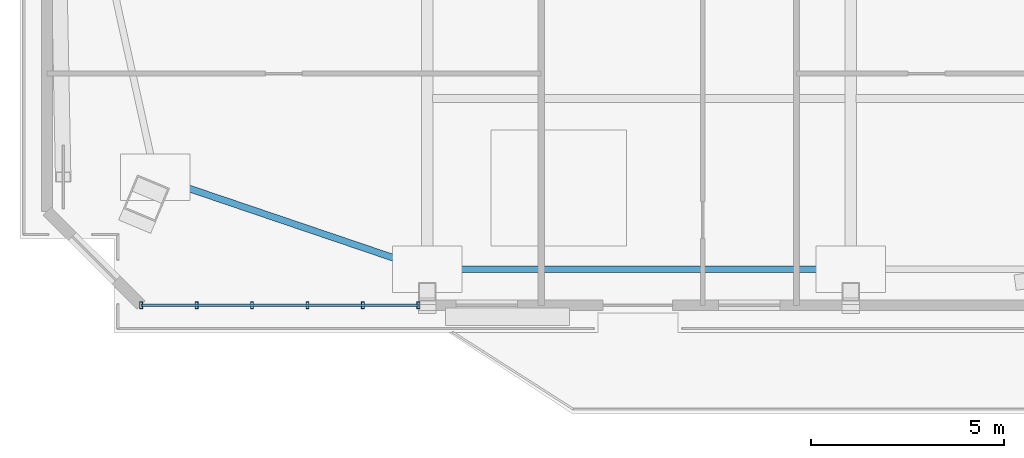
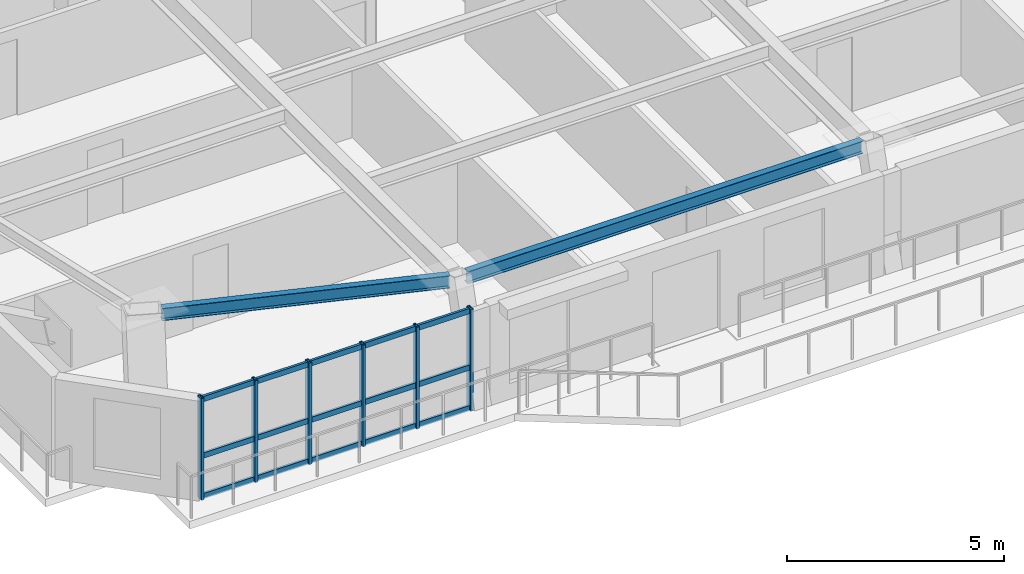
# One storey, part 2 of 15: 9 members, 2 beams, 1 element without a shape of its own.
"""IFC4 building model written with IfcOpenShell, lengths in metres."""

from ifc_helpers import new_model, si_unit, direction, frame, origin, origin_2d, place, context, subcontext, project, spatial, hollow_rectangle, i_section, extrude, source, transform, mapped, material, layer, layer_set, material_profile, profile_set, type_object, element, aggregate, save


model = new_model("IFC4")

# Units and contexts
model_context = context("Model", 3, precision=1e-05, world=origin(), true_north=direction((0.0, 1.0)))
body_context = subcontext(model_context, "Body", "Model", "MODEL_VIEW")
ifc_project = project(units=[si_unit("LENGTHUNIT", "METRE"), si_unit("AREAUNIT", "SQUARE_METRE"), si_unit("VOLUMEUNIT", "CUBIC_METRE"), si_unit("PLANEANGLEUNIT", "RADIAN"), si_unit("MASSUNIT", "GRAM", prefix="KILO")], contexts=[model_context])

# Site, building, storey
site_placement = place(None, origin())
site = spatial("IfcSite", under=ifc_project, at=site_placement, CompositionType="ELEMENT")
building_placement = place(site_placement, origin())
building = spatial("IfcBuilding", under=site, at=building_placement, Name="Giltprow Tower", CompositionType="ELEMENT")
storey_placement = place(building_placement, frame((0.0, 0.0, 300.60009765625)))
storey = spatial("IfcBuildingStorey", under=building, at=storey_placement, Name="L77", CompositionType="ELEMENT", Elevation=300.60009765625)

# Beams
ifc_material_1 = material(Name="Structural steel Q355B", Category="steel")
ifc_material_profile_1 = material_profile(ifc_material_1, i_section(OverallWidth=0.175048828125, OverallDepth=0.35009765625, WebThickness=0.007080078125, FlangeThickness=0.010986328125, at=origin_2d()), Name="HN 350x175x7x11")
ifc_profile_set_1 = profile_set([ifc_material_profile_1], Name="Structural steel Q355B")
beam_type = type_object("IfcBeamType", Name="BM-SPAN-HN350", PredefinedType="SPANDREL", material=ifc_profile_set_1)
shared_shape_1 = source(origin(), body_context, "Body", "SweptSolid", [
    extrude(i_section(OverallWidth=0.175048828125, OverallDepth=0.35009765625, WebThickness=0.007080078125, FlangeThickness=0.010986328125, at=origin_2d()), origin(), (0.0, 0.0, 1.0), 10.530029296875),
])
beam_1_placement = place(storey_placement, frame((20.06005859375, 19.77197265625, 3.010009765625), z_axis=(1.0, 0.0, 0.0), x_axis=(0.0, 1.0, 0.0)))
element("IfcBeam", 1, at=beam_1_placement, inside=storey, type_object=beam_type, Name="L77 Perimeter Spandrel Beam S1-S2", PredefinedType="SPANDREL", context=body_context, shape_type="MappedRepresentation", body=[
    mapped(shared_shape_1, transform((0.0, 0.0, 0.0), x_axis=(1.0, 0.0, 0.0), y_axis=(0.0, 1.0, 0.0), z_axis=(0.0, 0.0, 1.0), scale=1.0)),
])
shared_shape_2 = source(origin(), body_context, "Body", "SweptSolid", [
    extrude(i_section(OverallWidth=0.175048828125, OverallDepth=0.35009765625, WebThickness=0.007080078125, FlangeThickness=0.010986328125, at=origin_2d()), origin(), (0.0, 0.0, 1.0), 6.773193359375),
])
beam_2_placement = place(storey_placement, frame((13.237060546875, 22.01708984375, 3.010009765625), z_axis=(0.946938937368, -0.321413516977, 0.0), x_axis=(0.321413516977, 0.946938937368, 0.0)))
element("IfcBeam", 2, at=beam_2_placement, inside=storey, type_object=beam_type, Name="L77 Perimeter Spandrel Beam MC_SW-S1", PredefinedType="SPANDREL", context=body_context, shape_type="MappedRepresentation", body=[
    mapped(shared_shape_2, transform((0.0, 0.0, 0.0), x_axis=(1.0, 0.0, 0.0), y_axis=(0.0, 1.0, 0.0), z_axis=(0.0, 0.0, 1.0), scale=1.0)),
])

# Curtain wall, members
ifc_material_2 = material(Name="Anodized bronze", Category="metal")
ifc_layer = layer(ifc_material_2, 0.179931640625, Name="Anodized bronze")
ifc_layer_set = layer_set([ifc_layer], Name="Anodized bronze")
curtain_wall_type = type_object("IfcCurtainWallType", Name="CW-RES-SKY", PredefinedType="NOTDEFINED", material=ifc_layer_set)
curtain_wall_placement = place(storey_placement, origin())
curtain_wall = element("IfcCurtainWall", 3, at=curtain_wall_placement, inside=storey, type_object=curtain_wall_type, Name="L77 South Recessed Curtain Wall 1", PredefinedType="NOTDEFINED")
ifc_material_profile_2 = material_profile(ifc_material_2, hollow_rectangle(XDim=0.074951171875, YDim=0.179931640625, WallThickness=0.008056640625, at=origin_2d()), Name="RHS 180x75x8")
ifc_profile_set_2 = profile_set([ifc_material_profile_2], Name="Anodized bronze")
member_type_1 = type_object("IfcMemberType", Name="CW-MULLION-180x75", PredefinedType="MULLION", material=ifc_profile_set_2)
shared_shape_3 = source(origin(), body_context, "Body", "SweptSolid", [
    extrude(hollow_rectangle(XDim=0.074951171875, YDim=0.179931640625, WallThickness=0.008056640625, at=origin_2d()), origin(), (0.0, 0.0, 1.0), 2.869873046875),
])
member_1_placement = place(storey_placement, frame((12.455078125, 18.841064453125, -0.02001953125), z_axis=(0.0, 0.0, 1.0), x_axis=(1.0, 0.0, 0.0)))
member_1 = element("IfcMember", 4, at=member_1_placement, type_object=member_type_1, Name="L77 South Recessed Curtain Wall 1 Mullion 1", PredefinedType="MULLION", context=body_context, shape_type="MappedRepresentation", body=[
    mapped(shared_shape_3, transform((0.0, 0.0, 0.0), x_axis=(1.0, 0.0, 0.0), y_axis=(0.0, 1.0, 0.0), z_axis=(0.0, 0.0, 1.0), scale=1.0)),
])
member_2_placement = place(storey_placement, frame((13.888916015625, 18.841064453125, -0.02001953125), z_axis=(0.0, 0.0, 1.0), x_axis=(1.0, 0.0, 0.0)))
member_2 = element("IfcMember", 5, at=member_2_placement, type_object=member_type_1, Name="L77 South Recessed Curtain Wall 1 Mullion 2", PredefinedType="MULLION", context=body_context, shape_type="MappedRepresentation", body=[
    mapped(shared_shape_3, transform((0.0, 0.0, 0.0), x_axis=(1.0, 0.0, 0.0), y_axis=(0.0, 1.0, 0.0), z_axis=(0.0, 0.0, 1.0), scale=1.0)),
])
member_3_placement = place(storey_placement, frame((15.322998046875, 18.841064453125, -0.02001953125), z_axis=(0.0, 0.0, 1.0), x_axis=(1.0, 0.0, 0.0)))
member_3 = element("IfcMember", 6, at=member_3_placement, type_object=member_type_1, Name="L77 South Recessed Curtain Wall 1 Mullion 3", PredefinedType="MULLION", context=body_context, shape_type="MappedRepresentation", body=[
    mapped(shared_shape_3, transform((0.0, 0.0, 0.0), x_axis=(1.0, 0.0, 0.0), y_axis=(0.0, 1.0, 0.0), z_axis=(0.0, 0.0, 1.0), scale=1.0)),
])
member_4_placement = place(storey_placement, frame((16.757080078125, 18.841064453125, -0.02001953125), z_axis=(0.0, 0.0, 1.0), x_axis=(1.0, 0.0, 0.0)))
member_4 = element("IfcMember", 7, at=member_4_placement, type_object=member_type_1, Name="L77 South Recessed Curtain Wall 1 Mullion 4", PredefinedType="MULLION", context=body_context, shape_type="MappedRepresentation", body=[
    mapped(shared_shape_3, transform((0.0, 0.0, 0.0), x_axis=(1.0, 0.0, 0.0), y_axis=(0.0, 1.0, 0.0), z_axis=(0.0, 0.0, 1.0), scale=1.0)),
])
member_5_placement = place(storey_placement, frame((18.19091796875, 18.841064453125, -0.02001953125), z_axis=(0.0, 0.0, 1.0), x_axis=(1.0, 0.0, 0.0)))
member_5 = element("IfcMember", 8, at=member_5_placement, type_object=member_type_1, Name="L77 South Recessed Curtain Wall 1 Mullion 5", PredefinedType="MULLION", context=body_context, shape_type="MappedRepresentation", body=[
    mapped(shared_shape_3, transform((0.0, 0.0, 0.0), x_axis=(1.0, 0.0, 0.0), y_axis=(0.0, 1.0, 0.0), z_axis=(0.0, 0.0, 1.0), scale=1.0)),
])
member_6_placement = place(storey_placement, frame((19.625, 18.841064453125, -0.02001953125), z_axis=(0.0, 0.0, 1.0), x_axis=(1.0, 0.0, 0.0)))
member_6 = element("IfcMember", 9, at=member_6_placement, type_object=member_type_1, Name="L77 South Recessed Curtain Wall 1 Mullion 6", PredefinedType="MULLION", context=body_context, shape_type="MappedRepresentation", body=[
    mapped(shared_shape_3, transform((0.0, 0.0, 0.0), x_axis=(1.0, 0.0, 0.0), y_axis=(0.0, 1.0, 0.0), z_axis=(0.0, 0.0, 1.0), scale=1.0)),
])
ifc_material_profile_3 = material_profile(ifc_material_2, hollow_rectangle(XDim=0.06494140625, YDim=0.14990234375, WallThickness=0.006103515625, at=origin_2d()), Name="RHS 150x65x6")
ifc_profile_set_3 = profile_set([ifc_material_profile_3], Name="Anodized bronze")
member_type_2 = type_object("IfcMemberType", Name="CW-TRANSOM-150x65", PredefinedType="USERDEFINED", material=ifc_profile_set_3)
shared_shape_4 = source(origin(), body_context, "Body", "SweptSolid", [
    extrude(hollow_rectangle(XDim=0.06494140625, YDim=0.14990234375, WallThickness=0.006103515625, at=origin_2d()), origin(), (0.0, 0.0, 1.0), 7.169921875),
])
member_7_placement = place(storey_placement, frame((12.455078125, 18.841064453125, 0.039794921875), z_axis=(1.0, 0.0, 0.0), x_axis=(0.0, 1.0, 0.0)))
member_7 = element("IfcMember", 10, at=member_7_placement, type_object=member_type_2, Name="L77 South Recessed Curtain Wall 1 Transom 1", ObjectType="TRANSOM", PredefinedType="USERDEFINED", context=body_context, shape_type="MappedRepresentation", body=[
    mapped(shared_shape_4, transform((0.0, 0.0, 0.0), x_axis=(1.0, 0.0, 0.0), y_axis=(0.0, 1.0, 0.0), z_axis=(0.0, 0.0, 1.0), scale=1.0)),
])
member_8_placement = place(storey_placement, frame((12.455078125, 18.841064453125, 1.181884765625), z_axis=(1.0, 0.0, 0.0), x_axis=(0.0, 1.0, 0.0)))
member_8 = element("IfcMember", 11, at=member_8_placement, type_object=member_type_2, Name="L77 South Recessed Curtain Wall 1 Transom 2", ObjectType="TRANSOM", PredefinedType="USERDEFINED", context=body_context, shape_type="MappedRepresentation", body=[
    mapped(shared_shape_4, transform((0.0, 0.0, 0.0), x_axis=(1.0, 0.0, 0.0), y_axis=(0.0, 1.0, 0.0), z_axis=(0.0, 0.0, 1.0), scale=1.0)),
])
member_9_placement = place(storey_placement, frame((12.455078125, 18.841064453125, 2.77490234375), z_axis=(1.0, 0.0, 0.0), x_axis=(0.0, 1.0, 0.0)))
member_9 = element("IfcMember", 12, at=member_9_placement, type_object=member_type_2, Name="L77 South Recessed Curtain Wall 1 Transom 3", ObjectType="TRANSOM", PredefinedType="USERDEFINED", context=body_context, shape_type="MappedRepresentation", body=[
    mapped(shared_shape_4, transform((0.0, 0.0, 0.0), x_axis=(1.0, 0.0, 0.0), y_axis=(0.0, 1.0, 0.0), z_axis=(0.0, 0.0, 1.0), scale=1.0)),
])
aggregate(curtain_wall, [member_1, member_2, member_3, member_4, member_5, member_6, member_7, member_8, member_9])

save(model, "model.ifc")
